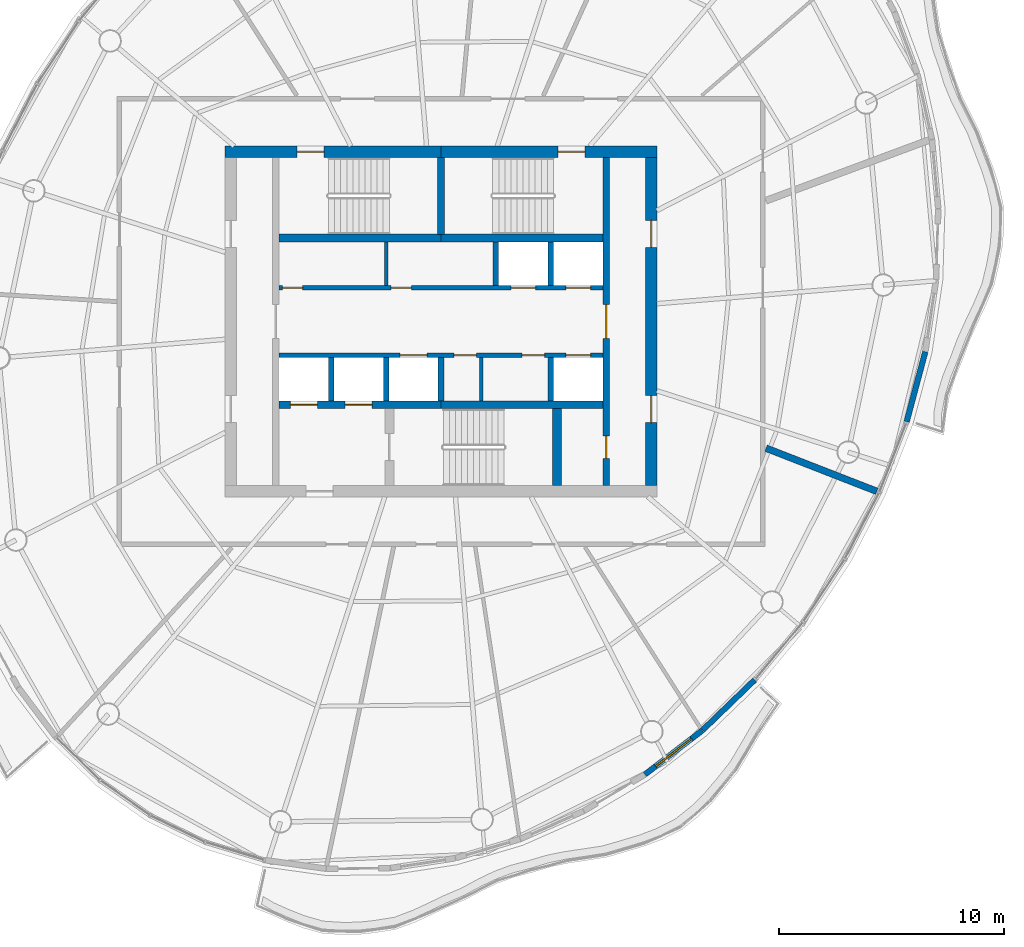
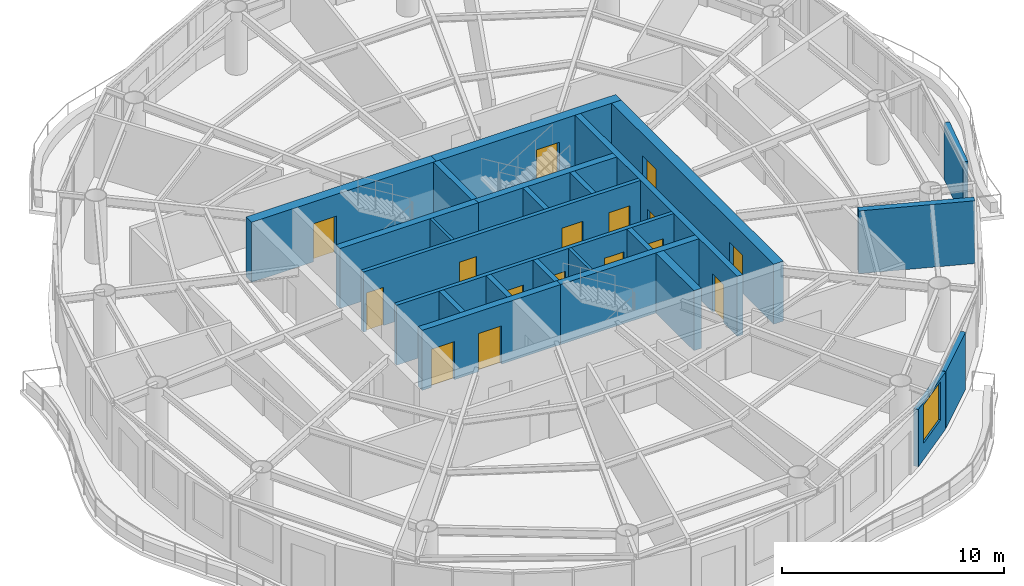
# One storey, part 8 of 13: 24 walls, 16 doors, 1 window, 17 openings.
"""IFC4 building model written with IfcOpenShell, lengths in metres."""

from ifc_helpers import new_model, si_unit, direction, frame, frame_2d, origin, place, context, subcontext, project, spatial, rectangle, extrude, material, layer, layer_set, type_object, element, fill, save


model = new_model("IFC4")

# Units and contexts
model_context = context("Model", 3, precision=1e-05, world=origin(), true_north=direction((0.0, 1.0)))
body_context = subcontext(model_context, "Body", "Model", "MODEL_VIEW")
ifc_project = project(units=[si_unit("LENGTHUNIT", "METRE"), si_unit("AREAUNIT", "SQUARE_METRE"), si_unit("VOLUMEUNIT", "CUBIC_METRE"), si_unit("PLANEANGLEUNIT", "RADIAN"), si_unit("MASSUNIT", "GRAM", prefix="KILO")], contexts=[model_context])

# Site, building, storey
site_placement = place(None, origin())
site = spatial("IfcSite", under=ifc_project, at=site_placement, CompositionType="ELEMENT")
building_placement = place(site_placement, origin())
building = spatial("IfcBuilding", under=site, at=building_placement, Name="Vermilion Reach Broadcast Tower", CompositionType="ELEMENT")
storey_placement = place(building_placement, frame((0.0, 0.0, 272.10009765625)))
storey = spatial("IfcBuildingStorey", under=building, at=storey_placement, Name="L67", CompositionType="ELEMENT", Elevation=272.10009765625)

# Wall, openings, doors
ifc_material_1 = material(Name="Concrete C50", Category="concrete")
ifc_layer_1 = layer(ifc_material_1, 0.300048828125)
ifc_layer_set_1 = layer_set([ifc_layer_1], Name="Core inner wall 300 mm Concrete C50")
wall_type_1 = type_object("IfcWallType", Name="Core inner wall 300 mm Concrete C50", PredefinedType="SHEAR", material=ifc_layer_set_1)
wall_1_placement = place(storey_placement, frame((1.35009765625, -7.300048828125, 0.0), z_axis=(0.0, 0.0, 1.0), x_axis=(0.0, 1.0, 0.0)))
wall_1 = element("IfcWall", 1, at=wall_1_placement, inside=storey, type_object=wall_type_1, Name="L67 core wall ewE", PredefinedType="SHEAR", context=body_context, shape_type="SweptSolid", body=[
    extrude(rectangle(XDim=14.60009765625, YDim=0.300048828125, at=frame_2d((7.300048828125, 0.0))), origin(), (0.0, 0.0, 1.0), 3.2998046875),
])
opening_1_placement = place(wall_1_placement, frame((1.2099609375, 0.0, 0.0)))
opening_1 = element("IfcOpeningElement", 2, at=opening_1_placement, cuts=wall_1, Name="Opening D05", PredefinedType="OPENING", context=body_context, shape_type="SweptSolid", body=[
    extrude(rectangle(XDim=1.0, YDim=2.10009765625, at=frame_2d((0.5, 1.050048828125))), frame((0.0, 0.159912109375, 0.0), z_axis=(0.0, -1.0, 0.0), x_axis=(1.0, 0.0, 0.0)), (0.0, 0.0, 1.0), 0.320068359375),
])
opening_2_placement = place(wall_1_placement, frame((6.550048828125, 0.0, 0.0)))
opening_2 = element("IfcOpeningElement", 3, at=opening_2_placement, cuts=wall_1, Name="Opening D04", PredefinedType="OPENING", context=body_context, shape_type="SweptSolid", body=[
    extrude(rectangle(XDim=1.5, YDim=2.10009765625, at=frame_2d((0.75, 1.050048828125))), frame((0.0, 0.159912109375, 0.0), z_axis=(0.0, -1.0, 0.0), x_axis=(1.0, 0.0, 0.0)), (0.0, 0.0, 1.0), 0.320068359375),
])
ifc_material_2 = material(Name="Painted steel fire door", Category="steel")
door_type_1 = type_object("IfcDoorType", Name="Lift lobby door 1500 x 2100", OperationType="DOUBLE_DOOR_SINGLE_SWING", PredefinedType="NOTDEFINED", material=ifc_material_2)
door_1_placement = place(opening_2_placement, origin())
door_1 = element("IfcDoor", 4, at=door_1_placement, inside=storey, type_object=door_type_1, Name="L67 band door BE", OperationType="DOUBLE_DOOR_SINGLE_SWING", OverallHeight=2.10009765625, OverallWidth=1.5, PredefinedType="NOTDEFINED", context=body_context, shape_type="SweptSolid", body=[
    extrude(rectangle(XDim=1.5, YDim=2.10009765625, at=frame_2d((0.75, 1.050048828125))), frame((0.0, 0.02490234375, 0.0), z_axis=(0.0, -1.0, 0.0), x_axis=(1.0, 0.0, 0.0)), (0.0, 0.0, 1.0), 0.050048828125),
])
fill(opening_2, door_1)
ifc_material_3 = material(Name="Timber door", Category="wood")
door_type_2 = type_object("IfcDoorType", Name="Room door 1000 x 2100", OperationType="NOTDEFINED", PredefinedType="NOTDEFINED", material=ifc_material_3)
door_2_placement = place(opening_1_placement, origin())
door_2 = element("IfcDoor", 5, at=door_2_placement, inside=storey, type_object=door_type_2, Name="L67 door SER", OperationType="SINGLE_SWING_LEFT", OverallHeight=2.10009765625, OverallWidth=1.0, PredefinedType="NOTDEFINED", context=body_context, shape_type="SweptSolid", body=[
    extrude(rectangle(XDim=1.0, YDim=2.10009765625, at=frame_2d((0.5, 1.050048828125))), frame((0.0, 0.02490234375, 0.0), z_axis=(0.0, -1.0, 0.0), x_axis=(1.0, 0.0, 0.0)), (0.0, 0.0, 1.0), 0.050048828125),
])
fill(opening_1, door_2)

# Walls
wall_2_placement = place(storey_placement, frame((-6.0, 3.8798828125, 0.0), z_axis=(0.0, 0.0, 1.0), x_axis=(0.0, 1.0, 0.0)))
element("IfcWall", 6, at=wall_2_placement, inside=storey, type_object=wall_type_1, Name="L67 core wall wc", PredefinedType="SHEAR", context=body_context, shape_type="SweptSolid", body=[
    extrude(rectangle(XDim=3.420166015625, YDim=0.300048828125, at=frame_2d((1.7099609375, 0.0))), origin(), (0.0, 0.0, 1.0), 3.2998046875),
])
ifc_material_4 = material(Name="Concrete C50", Category="concrete")
ifc_layer_2 = layer(ifc_material_4, 0.35009765625)
ifc_layer_set_2 = layer_set([ifc_layer_2], Name="Core inner wall 350 mm Concrete C50")
wall_type_2 = type_object("IfcWallType", Name="Core inner wall 350 mm Concrete C50", PredefinedType="SHEAR", material=ifc_layer_set_2)
for number, where, z_axis, x_axis, name in (
    (7, (-13.199951171875, 3.705078125, 0.0), (0.0, 0.0, 1.0), (1.0, 0.0, 0.0), "L67 core wall winW"),
    (8, (-6.0, 3.705078125, 0.0), (0.0, 0.0, 1.0), (1.0, 0.0, 0.0), "L67 core wall winE"),
):
    element("IfcWall", number, at=place(storey_placement, frame(where, z_axis=z_axis, x_axis=x_axis)), inside=storey, type_object=wall_type_2, Name=name, PredefinedType="SHEAR", context=body_context, shape_type="SweptSolid", body=[
        extrude(rectangle(XDim=7.199951171875, YDim=0.35009765625, at=frame_2d((3.60009765625, 0.0))), origin(), (0.0, 0.0, 1.0), 3.2998046875),
    ])

# Wall, openings, doors
wall_3_placement = place(storey_placement, frame((-13.199951171875, -3.705078125, 0.0), z_axis=(0.0, 0.0, 1.0), x_axis=(1.0, 0.0, 0.0)))
wall_3 = element("IfcWall", 9, at=wall_3_placement, inside=storey, type_object=wall_type_2, Name="L67 core wall wisW", PredefinedType="SHEAR", context=body_context, shape_type="SweptSolid", body=[
    extrude(rectangle(XDim=7.199951171875, YDim=0.35009765625, at=frame_2d((3.60009765625, 0.0))), origin(), (0.0, 0.0, 1.0), 3.2998046875),
])
opening_3_placement = place(wall_3_placement, frame((0.495849609375, 0.0, 0.0)))
opening_3 = element("IfcOpeningElement", 10, at=opening_3_placement, cuts=wall_3, Name="Opening LD1", PredefinedType="OPENING", context=body_context, shape_type="SweptSolid", body=[
    extrude(rectangle(XDim=1.199951171875, YDim=2.10009765625, at=frame_2d((0.60009765625, 1.050048828125))), frame((0.0, 0.18505859375, 0.0), z_axis=(0.0, -1.0, 0.0), x_axis=(1.0, 0.0, 0.0)), (0.0, 0.0, 1.0), 0.3701171875),
])
opening_4_placement = place(wall_3_placement, frame((2.9375, 0.0, 0.0)))
opening_4 = element("IfcOpeningElement", 11, at=opening_4_placement, cuts=wall_3, Name="Opening LD1", PredefinedType="OPENING", context=body_context, shape_type="SweptSolid", body=[
    extrude(rectangle(XDim=1.199951171875, YDim=2.10009765625, at=frame_2d((0.60009765625, 1.050048828125))), frame((0.0, 0.18505859375, 0.0), z_axis=(0.0, -1.0, 0.0), x_axis=(1.0, 0.0, 0.0)), (0.0, 0.0, 1.0), 0.3701171875),
])
ifc_material_5 = material(Name="Stainless steel", Category="steel")
door_type_3 = type_object("IfcDoorType", Name="Landing door 1200 x 2100", OperationType="DOUBLE_DOOR_SLIDING", PredefinedType="NOTDEFINED", material=ifc_material_5)
door_3_placement = place(opening_3_placement, origin())
door_3 = element("IfcDoor", 12, at=door_3_placement, inside=storey, type_object=door_type_3, Name="L67 landing door FF1", OperationType="DOUBLE_DOOR_SLIDING", OverallHeight=2.10009765625, OverallWidth=1.199951171875, PredefinedType="NOTDEFINED", context=body_context, shape_type="SweptSolid", body=[
    extrude(rectangle(XDim=1.199951171875, YDim=2.10009765625, at=frame_2d((0.60009765625, 1.050048828125))), frame((0.0, 0.02490234375, 0.0), z_axis=(0.0, -1.0, 0.0), x_axis=(1.0, 0.0, 0.0)), (0.0, 0.0, 1.0), 0.050048828125),
])
fill(opening_3, door_3)
door_4_placement = place(opening_4_placement, origin())
door_4 = element("IfcDoor", 13, at=door_4_placement, inside=storey, type_object=door_type_3, Name="L67 landing door FF2", OperationType="DOUBLE_DOOR_SLIDING", OverallHeight=2.10009765625, OverallWidth=1.199951171875, PredefinedType="NOTDEFINED", context=body_context, shape_type="SweptSolid", body=[
    extrude(rectangle(XDim=1.199951171875, YDim=2.10009765625, at=frame_2d((0.60009765625, 1.050048828125))), frame((0.0, 0.02490234375, 0.0), z_axis=(0.0, -1.0, 0.0), x_axis=(1.0, 0.0, 0.0)), (0.0, 0.0, 1.0), 0.050048828125),
])
fill(opening_4, door_4)

# Walls
wall_4_placement = place(storey_placement, frame((-6.0, -3.705078125, 0.0), z_axis=(0.0, 0.0, 1.0), x_axis=(1.0, 0.0, 0.0)))
element("IfcWall", 14, at=wall_4_placement, inside=storey, type_object=wall_type_2, Name="L67 core wall wisE", PredefinedType="SHEAR", context=body_context, shape_type="SweptSolid", body=[
    extrude(rectangle(XDim=7.199951171875, YDim=0.35009765625, at=frame_2d((3.60009765625, 0.0))), origin(), (0.0, 0.0, 1.0), 3.2998046875),
])
ifc_material_6 = material(Name="Concrete C50", Category="concrete")
ifc_layer_3 = layer(ifc_material_6, 0.39990234375)
ifc_layer_set_3 = layer_set([ifc_layer_3], Name="Core inner wall 400 mm Concrete C50")
wall_type_3 = type_object("IfcWallType", Name="Core inner wall 400 mm Concrete C50", PredefinedType="SHEAR", material=ifc_layer_set_3)
wall_5_placement = place(storey_placement, frame((-0.85009765625, -3.8798828125, 0.0), z_axis=(0.0, 0.0, 1.0), x_axis=(0.0, -1.0, 0.0)))
element("IfcWall", 15, at=wall_5_placement, inside=storey, type_object=wall_type_3, Name="L67 core wall wb", PredefinedType="SHEAR", context=body_context, shape_type="SweptSolid", body=[
    extrude(rectangle(XDim=3.420166015625, YDim=0.39990234375, at=frame_2d((1.7099609375, 0.0))), origin(), (0.0, 0.0, 1.0), 3.2998046875),
])

# Wall, opening, door
ifc_material_7 = material(Name="Concrete C50", Category="concrete")
ifc_layer_4 = layer(ifc_material_7, 0.5)
ifc_layer_set_4 = layer_set([ifc_layer_4], Name="Core outer wall 500 mm Concrete C50")
wall_type_4 = type_object("IfcWallType", Name="Core outer wall 500 mm Concrete C50", PredefinedType="SHEAR", material=ifc_layer_set_4)
wall_6_placement = place(storey_placement, frame((3.60009765625, 7.550048828125, 0.0), z_axis=(0.0, 0.0, 1.0), x_axis=(-1.0, 0.0, 0.0)))
wall_6 = element("IfcWall", 16, at=wall_6_placement, inside=storey, type_object=wall_type_4, Name="L67 core wall onE", PredefinedType="SHEAR", context=body_context, shape_type="SweptSolid", body=[
    extrude(rectangle(XDim=9.60009765625, YDim=0.5, at=frame_2d((4.800048828125, 0.0))), origin(), (0.0, 0.0, 1.0), 3.2998046875),
])
opening_5_placement = place(wall_6_placement, frame((3.199951171875, 0.0, 0.0)))
opening_5 = element("IfcOpeningElement", 17, at=opening_5_placement, cuts=wall_6, Name="Opening D01", PredefinedType="OPENING", context=body_context, shape_type="SweptSolid", body=[
    extrude(rectangle(XDim=1.199951171875, YDim=2.10009765625, at=frame_2d((0.60009765625, 1.050048828125))), frame((0.0, 0.260009765625, 0.0), z_axis=(0.0, -1.0, 0.0), x_axis=(1.0, 0.0, 0.0)), (0.0, 0.0, 1.0), 0.52001953125),
])
ifc_material_8 = material(Name="Painted steel fire door", Category="steel")
door_type_4 = type_object("IfcDoorType", Name="Stair door 1200 x 2100", OperationType="DOUBLE_DOOR_SINGLE_SWING", PredefinedType="NOTDEFINED", material=ifc_material_8)
door_5_placement = place(opening_5_placement, origin())
door_5 = element("IfcDoor", 18, at=door_5_placement, inside=storey, type_object=door_type_4, Name="L67 stair door ST2", OperationType="DOUBLE_DOOR_SINGLE_SWING", OverallHeight=2.10009765625, OverallWidth=1.199951171875, PredefinedType="NOTDEFINED", context=body_context, shape_type="SweptSolid", body=[
    extrude(rectangle(XDim=1.199951171875, YDim=2.10009765625, at=frame_2d((0.60009765625, 1.050048828125))), frame((0.0, 0.02490234375, 0.0), z_axis=(0.0, -1.0, 0.0), x_axis=(1.0, 0.0, 0.0)), (0.0, 0.0, 1.0), 0.050048828125),
])
fill(opening_5, door_5)

wall_7_placement = place(storey_placement, frame((-6.0, 7.550048828125, 0.0), z_axis=(0.0, 0.0, 1.0), x_axis=(-1.0, 0.0, 0.0)))
wall_7 = element("IfcWall", 19, at=wall_7_placement, inside=storey, type_object=wall_type_4, Name="L67 core wall onW", PredefinedType="SHEAR", context=body_context, shape_type="SweptSolid", body=[
    extrude(rectangle(XDim=9.60009765625, YDim=0.5, at=frame_2d((4.800048828125, 0.0))), origin(), (0.0, 0.0, 1.0), 3.2998046875),
])
opening_6_placement = place(wall_7_placement, frame((5.199951171875, 0.0, 0.0)))
opening_6 = element("IfcOpeningElement", 20, at=opening_6_placement, cuts=wall_7, Name="Opening D01", PredefinedType="OPENING", context=body_context, shape_type="SweptSolid", body=[
    extrude(rectangle(XDim=1.199951171875, YDim=2.10009765625, at=frame_2d((0.60009765625, 1.050048828125))), frame((0.0, 0.260009765625, 0.0), z_axis=(0.0, -1.0, 0.0), x_axis=(1.0, 0.0, 0.0)), (0.0, 0.0, 1.0), 0.52001953125),
])
door_6_placement = place(opening_6_placement, origin())
door_6 = element("IfcDoor", 21, at=door_6_placement, inside=storey, type_object=door_type_4, Name="L67 stair door ST1", OperationType="DOUBLE_DOOR_SINGLE_SWING", OverallHeight=2.10009765625, OverallWidth=1.199951171875, PredefinedType="NOTDEFINED", context=body_context, shape_type="SweptSolid", body=[
    extrude(rectangle(XDim=1.199951171875, YDim=2.10009765625, at=frame_2d((0.60009765625, 1.050048828125))), frame((0.0, 0.02490234375, 0.0), z_axis=(0.0, -1.0, 0.0), x_axis=(1.0, 0.0, 0.0)), (0.0, 0.0, 1.0), 0.050048828125),
])
fill(opening_6, door_6)

# Wall, openings, doors
wall_8_placement = place(storey_placement, frame((3.35009765625, -7.300048828125, 0.0), z_axis=(0.0, 0.0, 1.0), x_axis=(0.0, 1.0, 0.0)))
wall_8 = element("IfcWall", 22, at=wall_8_placement, inside=storey, type_object=wall_type_4, Name="L67 core wall oe", PredefinedType="SHEAR", context=body_context, shape_type="SweptSolid", body=[
    extrude(rectangle(XDim=14.60009765625, YDim=0.5, at=frame_2d((7.300048828125, 0.0))), origin(), (0.0, 0.0, 1.0), 3.2998046875),
])
opening_7_placement = place(wall_8_placement, frame((2.800048828125, 0.0, 0.0)))
opening_7 = element("IfcOpeningElement", 23, at=opening_7_placement, cuts=wall_8, Name="Opening D03", PredefinedType="OPENING", context=body_context, shape_type="SweptSolid", body=[
    extrude(rectangle(XDim=1.199951171875, YDim=2.10009765625, at=frame_2d((0.60009765625, 1.050048828125))), frame((0.0, 0.260009765625, 0.0), z_axis=(0.0, -1.0, 0.0), x_axis=(1.0, 0.0, 0.0)), (0.0, 0.0, 1.0), 0.52001953125),
])
opening_8_placement = place(wall_8_placement, frame((10.60009765625, 0.0, 0.0)))
opening_8 = element("IfcOpeningElement", 24, at=opening_8_placement, cuts=wall_8, Name="Opening D03", PredefinedType="OPENING", context=body_context, shape_type="SweptSolid", body=[
    extrude(rectangle(XDim=1.199951171875, YDim=2.10009765625, at=frame_2d((0.60009765625, 1.050048828125))), frame((0.0, 0.260009765625, 0.0), z_axis=(0.0, -1.0, 0.0), x_axis=(1.0, 0.0, 0.0)), (0.0, 0.0, 1.0), 0.52001953125),
])
ifc_material_9 = material(Name="Painted steel fire door", Category="steel")
door_type_5 = type_object("IfcDoorType", Name="Core lobby door 1200 x 2100", OperationType="DOUBLE_DOOR_SINGLE_SWING", PredefinedType="NOTDEFINED", material=ifc_material_9)
door_7_placement = place(opening_7_placement, origin())
door_7 = element("IfcDoor", 25, at=door_7_placement, inside=storey, type_object=door_type_5, Name="L67 slot door E0", OperationType="DOUBLE_DOOR_SINGLE_SWING", OverallHeight=2.10009765625, OverallWidth=1.199951171875, PredefinedType="NOTDEFINED", context=body_context, shape_type="SweptSolid", body=[
    extrude(rectangle(XDim=1.199951171875, YDim=2.10009765625, at=frame_2d((0.60009765625, 1.050048828125))), frame((0.0, 0.02490234375, 0.0), z_axis=(0.0, -1.0, 0.0), x_axis=(1.0, 0.0, 0.0)), (0.0, 0.0, 1.0), 0.050048828125),
])
fill(opening_7, door_7)
door_8_placement = place(opening_8_placement, origin())
door_8 = element("IfcDoor", 26, at=door_8_placement, inside=storey, type_object=door_type_5, Name="L67 slot door E1", OperationType="DOUBLE_DOOR_SINGLE_SWING", OverallHeight=2.10009765625, OverallWidth=1.199951171875, PredefinedType="NOTDEFINED", context=body_context, shape_type="SweptSolid", body=[
    extrude(rectangle(XDim=1.199951171875, YDim=2.10009765625, at=frame_2d((0.60009765625, 1.050048828125))), frame((0.0, 0.02490234375, 0.0), z_axis=(0.0, -1.0, 0.0), x_axis=(1.0, 0.0, 0.0)), (0.0, 0.0, 1.0), 0.050048828125),
])
fill(opening_8, door_8)

# Walls
ifc_material_10 = material(Name="Masonry block", Category="masonry")
ifc_layer_5 = layer(ifc_material_10, 0.14990234375)
ifc_layer_set_5 = layer_set([ifc_layer_5], Name="Core partition wall 150 mm Masonry block")
wall_type_5 = type_object("IfcWallType", Name="Core partition wall 150 mm Masonry block", PredefinedType="PARTITIONING", material=ifc_layer_set_5)
for number, where, z_axis, x_axis, name in (
    (27, (-8.441650390625, 1.60009765625, 0.0), (0.0, 0.0, 1.0), (0.0, 1.0, 0.0), "L67 core wall prN-2442"),
    (28, (-4.20703125, -1.60009765625, 0.0), (0.0, 0.0, 1.0), (0.0, -1.0, 0.0), "L67 core wall prS1793"),
):
    element("IfcWall", number, at=place(storey_placement, frame(where, z_axis=z_axis, x_axis=x_axis)), inside=storey, type_object=wall_type_5, Name=name, PredefinedType="PARTITIONING", context=body_context, shape_type="SweptSolid", body=[
        extrude(rectangle(XDim=1.929931640625, YDim=0.14990234375, at=frame_2d((0.96484375, 0.0))), origin(), (0.0, 0.0, 1.0), 3.2998046875),
    ])

# Wall, openings, doors
ifc_material_11 = material(Name="Concrete C50", Category="concrete")
ifc_layer_6 = layer(ifc_material_11, 0.199951171875)
ifc_layer_set_6 = layer_set([ifc_layer_6], Name="Core shaft wall 200 mm Concrete C50")
wall_type_6 = type_object("IfcWallType", Name="Core shaft wall 200 mm Concrete C50", PredefinedType="SHEAR", material=ifc_layer_set_6)
wall_9_placement = place(storey_placement, frame((-13.199951171875, 1.5, 0.0), z_axis=(0.0, 0.0, 1.0), x_axis=(1.0, 0.0, 0.0)))
wall_9 = element("IfcWall", 29, at=wall_9_placement, inside=storey, type_object=wall_type_6, Name="L67 core wall fn", PredefinedType="SHEAR", context=body_context, shape_type="SweptSolid", body=[
    extrude(rectangle(XDim=14.39990234375, YDim=0.199951171875, at=frame_2d((7.199951171875, 0.0))), origin(), (0.0, 0.0, 1.0), 3.2998046875),
])
opening_9_placement = place(wall_9_placement, frame((10.3125, 0.0, 0.0)))
opening_9 = element("IfcOpeningElement", 30, at=opening_9_placement, cuts=wall_9, Name="Opening LD2", PredefinedType="OPENING", context=body_context, shape_type="SweptSolid", body=[
    extrude(rectangle(XDim=1.10009765625, YDim=2.10009765625, at=frame_2d((0.550048828125, 1.050048828125))), frame((0.0, 0.10986328125, 0.0), z_axis=(0.0, -1.0, 0.0), x_axis=(1.0, 0.0, 0.0)), (0.0, 0.0, 1.0), 0.219970703125),
])
opening_10_placement = place(wall_9_placement, frame((12.754150390625, 0.0, 0.0)))
opening_10 = element("IfcOpeningElement", 31, at=opening_10_placement, cuts=wall_9, Name="Opening LD2", PredefinedType="OPENING", context=body_context, shape_type="SweptSolid", body=[
    extrude(rectangle(XDim=1.10009765625, YDim=2.10009765625, at=frame_2d((0.550048828125, 1.050048828125))), frame((0.0, 0.10986328125, 0.0), z_axis=(0.0, -1.0, 0.0), x_axis=(1.0, 0.0, 0.0)), (0.0, 0.0, 1.0), 0.219970703125),
])
opening_11_placement = place(wall_9_placement, frame((0.14990234375, 0.0, 0.0)))
opening_11 = element("IfcOpeningElement", 32, at=opening_11_placement, cuts=wall_9, Name="Opening D06", PredefinedType="OPENING", context=body_context, shape_type="SweptSolid", body=[
    extrude(rectangle(XDim=0.89990234375, YDim=2.10009765625, at=frame_2d((0.449951171875, 1.050048828125))), frame((0.0, 0.10986328125, 0.0), z_axis=(0.0, -1.0, 0.0), x_axis=(1.0, 0.0, 0.0)), (0.0, 0.0, 1.0), 0.219970703125),
])
opening_12_placement = place(wall_9_placement, frame((4.9833984375, 0.0, 0.0)))
opening_12 = element("IfcOpeningElement", 33, at=opening_12_placement, cuts=wall_9, Name="Opening D06", PredefinedType="OPENING", context=body_context, shape_type="SweptSolid", body=[
    extrude(rectangle(XDim=0.89990234375, YDim=2.10009765625, at=frame_2d((0.449951171875, 1.050048828125))), frame((0.0, 0.10986328125, 0.0), z_axis=(0.0, -1.0, 0.0), x_axis=(1.0, 0.0, 0.0)), (0.0, 0.0, 1.0), 0.219970703125),
])
ifc_material_12 = material(Name="Stainless steel", Category="steel")
door_type_6 = type_object("IfcDoorType", Name="Landing door 1100 x 2100", OperationType="DOUBLE_DOOR_SLIDING", PredefinedType="NOTDEFINED", material=ifc_material_12)
door_9_placement = place(opening_9_placement, origin())
door_9 = element("IfcDoor", 34, at=door_9_placement, inside=storey, type_object=door_type_6, Name="L67 landing door HR1", OperationType="DOUBLE_DOOR_SLIDING", OverallHeight=2.10009765625, OverallWidth=1.10009765625, PredefinedType="NOTDEFINED", context=body_context, shape_type="SweptSolid", body=[
    extrude(rectangle(XDim=1.10009765625, YDim=2.10009765625, at=frame_2d((0.550048828125, 1.050048828125))), frame((0.0, 0.02490234375, 0.0), z_axis=(0.0, -1.0, 0.0), x_axis=(1.0, 0.0, 0.0)), (0.0, 0.0, 1.0), 0.050048828125),
])
fill(opening_9, door_9)
door_10_placement = place(opening_10_placement, origin())
door_10 = element("IfcDoor", 35, at=door_10_placement, inside=storey, type_object=door_type_6, Name="L67 landing door HR2", OperationType="DOUBLE_DOOR_SLIDING", OverallHeight=2.10009765625, OverallWidth=1.10009765625, PredefinedType="NOTDEFINED", context=body_context, shape_type="SweptSolid", body=[
    extrude(rectangle(XDim=1.10009765625, YDim=2.10009765625, at=frame_2d((0.550048828125, 1.050048828125))), frame((0.0, 0.02490234375, 0.0), z_axis=(0.0, -1.0, 0.0), x_axis=(1.0, 0.0, 0.0)), (0.0, 0.0, 1.0), 0.050048828125),
])
fill(opening_10, door_10)
ifc_material_13 = material(Name="Timber door", Category="wood")
door_type_7 = type_object("IfcDoorType", Name="WC door 900 x 2100", OperationType="NOTDEFINED", PredefinedType="NOTDEFINED", material=ifc_material_13)
door_11_placement = place(opening_11_placement, origin())
door_11 = element("IfcDoor", 36, at=door_11_placement, inside=storey, type_object=door_type_7, Name="L67 door Female WC", OperationType="SINGLE_SWING_LEFT", OverallHeight=2.10009765625, OverallWidth=0.89990234375, PredefinedType="NOTDEFINED", context=body_context, shape_type="SweptSolid", body=[
    extrude(rectangle(XDim=0.89990234375, YDim=2.10009765625, at=frame_2d((0.449951171875, 1.050048828125))), frame((0.0, 0.02490234375, 0.0), z_axis=(0.0, -1.0, 0.0), x_axis=(1.0, 0.0, 0.0)), (0.0, 0.0, 1.0), 0.050048828125),
])
fill(opening_11, door_11)
door_12_placement = place(opening_12_placement, origin())
door_12 = element("IfcDoor", 37, at=door_12_placement, inside=storey, type_object=door_type_7, Name="L67 door Male WC", OperationType="SINGLE_SWING_LEFT", OverallHeight=2.10009765625, OverallWidth=0.89990234375, PredefinedType="NOTDEFINED", context=body_context, shape_type="SweptSolid", body=[
    extrude(rectangle(XDim=0.89990234375, YDim=2.10009765625, at=frame_2d((0.449951171875, 1.050048828125))), frame((0.0, 0.02490234375, 0.0), z_axis=(0.0, -1.0, 0.0), x_axis=(1.0, 0.0, 0.0)), (0.0, 0.0, 1.0), 0.050048828125),
])
fill(opening_12, door_12)

wall_10_placement = place(storey_placement, frame((1.199951171875, -1.5, 0.0), z_axis=(0.0, 0.0, 1.0), x_axis=(-1.0, 0.0, 0.0)))
wall_10 = element("IfcWall", 38, at=wall_10_placement, inside=storey, type_object=wall_type_6, Name="L67 core wall fs", PredefinedType="SHEAR", context=body_context, shape_type="SweptSolid", body=[
    extrude(rectangle(XDim=14.39990234375, YDim=0.199951171875, at=frame_2d((7.199951171875, 0.0))), origin(), (0.0, 0.0, 1.0), 3.2998046875),
])
opening_13_placement = place(wall_10_placement, frame((7.82080078125, 0.0, 0.0)))
opening_13 = element("IfcOpeningElement", 39, at=opening_13_placement, cuts=wall_10, Name="Opening LD1", PredefinedType="OPENING", context=body_context, shape_type="SweptSolid", body=[
    extrude(rectangle(XDim=1.199951171875, YDim=2.10009765625, at=frame_2d((0.60009765625, 1.050048828125))), frame((0.0, 0.10986328125, 0.0), z_axis=(0.0, -1.0, 0.0), x_axis=(1.0, 0.0, 0.0)), (0.0, 0.0, 1.0), 0.219970703125),
])
opening_14_placement = place(wall_10_placement, frame((0.5458984375, 0.0, 0.0)))
opening_14 = element("IfcOpeningElement", 40, at=opening_14_placement, cuts=wall_10, Name="Opening LD2", PredefinedType="OPENING", context=body_context, shape_type="SweptSolid", body=[
    extrude(rectangle(XDim=1.10009765625, YDim=2.10009765625, at=frame_2d((0.550048828125, 1.050048828125))), frame((0.0, 0.10986328125, 0.0), z_axis=(0.0, -1.0, 0.0), x_axis=(1.0, 0.0, 0.0)), (0.0, 0.0, 1.0), 0.219970703125),
])
opening_15_placement = place(wall_10_placement, frame((5.632080078125, 0.0, 0.0)))
opening_15 = element("IfcOpeningElement", 41, at=opening_15_placement, cuts=wall_10, Name="Opening D10", PredefinedType="OPENING", context=body_context, shape_type="SweptSolid", body=[
    extrude(rectangle(XDim=1.0, YDim=2.10009765625, at=frame_2d((0.5, 1.050048828125))), frame((0.0, 0.10986328125, 0.0), z_axis=(0.0, -1.0, 0.0), x_axis=(1.0, 0.0, 0.0)), (0.0, 0.0, 1.0), 0.219970703125),
])
opening_16_placement = place(wall_10_placement, frame((2.591552734375, 0.0, 0.0)))
opening_16 = element("IfcOpeningElement", 42, at=opening_16_placement, cuts=wall_10, Name="Opening D07", PredefinedType="OPENING", context=body_context, shape_type="SweptSolid", body=[
    extrude(rectangle(XDim=1.0, YDim=2.10009765625, at=frame_2d((0.5, 1.050048828125))), frame((0.0, 0.10986328125, 0.0), z_axis=(0.0, -1.0, 0.0), x_axis=(1.0, 0.0, 0.0)), (0.0, 0.0, 1.0), 0.219970703125),
])
ifc_material_14 = material(Name="Timber door", Category="wood")
door_type_8 = type_object("IfcDoorType", Name="Accessible WC door 1000 x 2100", OperationType="NOTDEFINED", PredefinedType="NOTDEFINED", material=ifc_material_14)
door_13_placement = place(opening_16_placement, origin())
door_13 = element("IfcDoor", 43, at=door_13_placement, inside=storey, type_object=door_type_8, Name="L67 door Accessible WC", OperationType="SINGLE_SWING_LEFT", OverallHeight=2.10009765625, OverallWidth=1.0, PredefinedType="NOTDEFINED", context=body_context, shape_type="SweptSolid", body=[
    extrude(rectangle(XDim=1.0, YDim=2.10009765625, at=frame_2d((0.5, 1.050048828125))), frame((0.0, 0.02490234375, 0.0), z_axis=(0.0, -1.0, 0.0), x_axis=(1.0, 0.0, 0.0)), (0.0, 0.0, 1.0), 0.050048828125),
])
fill(opening_16, door_13)
door_14_placement = place(opening_14_placement, origin())
door_14 = element("IfcDoor", 44, at=door_14_placement, inside=storey, type_object=door_type_6, Name="L67 landing door HR3", OperationType="DOUBLE_DOOR_SLIDING", OverallHeight=2.10009765625, OverallWidth=1.10009765625, PredefinedType="NOTDEFINED", context=body_context, shape_type="SweptSolid", body=[
    extrude(rectangle(XDim=1.10009765625, YDim=2.10009765625, at=frame_2d((0.550048828125, 1.050048828125))), frame((0.0, 0.02490234375, 0.0), z_axis=(0.0, -1.0, 0.0), x_axis=(1.0, 0.0, 0.0)), (0.0, 0.0, 1.0), 0.050048828125),
])
fill(opening_14, door_14)
door_15_placement = place(opening_13_placement, origin())
door_15 = element("IfcDoor", 45, at=door_15_placement, inside=storey, type_object=door_type_3, Name="L67 landing door SV1", OperationType="DOUBLE_DOOR_SLIDING", OverallHeight=2.10009765625, OverallWidth=1.199951171875, PredefinedType="NOTDEFINED", context=body_context, shape_type="SweptSolid", body=[
    extrude(rectangle(XDim=1.199951171875, YDim=2.10009765625, at=frame_2d((0.60009765625, 1.050048828125))), frame((0.0, 0.02490234375, 0.0), z_axis=(0.0, -1.0, 0.0), x_axis=(1.0, 0.0, 0.0)), (0.0, 0.0, 1.0), 0.050048828125),
])
fill(opening_13, door_15)
ifc_material_15 = material(Name="Timber door", Category="wood")
door_type_9 = type_object("IfcDoorType", Name="WC lobby door 1000 x 2100", OperationType="NOTDEFINED", PredefinedType="NOTDEFINED", material=ifc_material_15)
door_16_placement = place(opening_15_placement, origin())
door_16 = element("IfcDoor", 46, at=door_16_placement, inside=storey, type_object=door_type_9, Name="L67 door WC lobby", OperationType="SINGLE_SWING_LEFT", OverallHeight=2.10009765625, OverallWidth=1.0, PredefinedType="NOTDEFINED", context=body_context, shape_type="SweptSolid", body=[
    extrude(rectangle(XDim=1.0, YDim=2.10009765625, at=frame_2d((0.5, 1.050048828125))), frame((0.0, 0.02490234375, 0.0), z_axis=(0.0, -1.0, 0.0), x_axis=(1.0, 0.0, 0.0)), (0.0, 0.0, 1.0), 0.050048828125),
])
fill(opening_15, door_16)

# Walls
ifc_material_16 = material(Name="Concrete C50", Category="concrete")
ifc_layer_7 = layer(ifc_material_16, 0.25)
ifc_layer_set_7 = layer_set([ifc_layer_7], Name="Core shaft wall 250 mm Concrete C50")
wall_type_7 = type_object("IfcWallType", Name="Core shaft wall 250 mm Concrete C50", PredefinedType="SHEAR", material=ifc_layer_set_7)
for number, where, z_axis, x_axis, name in (
    (47, (-3.558349609375, 1.60009765625, 0.0), (0.0, 0.0, 1.0), (0.0, 1.0, 0.0), "L67 core wall psN3"),
    (48, (-1.11669921875, 1.60009765625, 0.0), (0.0, 0.0, 1.0), (0.0, 1.0, 0.0), "L67 core wall psN4"),
    (49, (-10.88330078125, -1.60009765625, 0.0), (0.0, 0.0, 1.0), (0.0, -1.0, 0.0), "L67 core wall psS0"),
    (50, (-8.441650390625, -1.60009765625, 0.0), (0.0, 0.0, 1.0), (0.0, -1.0, 0.0), "L67 core wall psS1"),
    (51, (-6.0, -1.60009765625, 0.0), (0.0, 0.0, 1.0), (0.0, -1.0, 0.0), "L67 core wall psS2"),
    (52, (-1.11669921875, -1.60009765625, 0.0), (0.0, 0.0, 1.0), (0.0, -1.0, 0.0), "L67 core wall psS4"),
):
    element("IfcWall", number, at=place(storey_placement, frame(where, z_axis=z_axis, x_axis=x_axis)), inside=storey, type_object=wall_type_7, Name=name, PredefinedType="SHEAR", context=body_context, shape_type="SweptSolid", body=[
        extrude(rectangle(XDim=1.929931640625, YDim=0.25, at=frame_2d((0.96484375, 0.0))), origin(), (0.0, 0.0, 1.0), 3.2998046875),
    ])
ifc_material_17 = material(Name="Double-leaf plasterboard on isolated steel stud", Category="steel")
ifc_layer_8 = layer(ifc_material_17, 0.300048828125)
ifc_layer_set_8 = layer_set([ifc_layer_8], Name="Partition 300 acoustic double leaf")
wall_type_8 = type_object("IfcWallType", Name="Partition 300 acoustic double leaf", PredefinedType="PARTITIONING", material=ifc_layer_set_8)
wall_11_placement = place(storey_placement, frame((13.377685546875, -7.552001953125, 0.0), z_axis=(0.0, 0.0, 1.0), x_axis=(-0.931738210827, 0.363130701656, 0.0)))
element("IfcWall", 53, at=wall_11_placement, inside=storey, type_object=wall_type_8, Name="Partition 67.09", PredefinedType="PARTITIONING", context=body_context, shape_type="SweptSolid", body=[
    extrude(rectangle(XDim=5.28369140625, YDim=0.300048828125, at=frame_2d((2.641845703125, 0.0))), origin(), (0.0, 0.0, 1.0), 3.449951171875),
])

# Wall, opening, window
ifc_material_18 = material(Name="Terracotta rainscreen cladding", Category="masonry")
ifc_layer_9 = layer(ifc_material_18, 0.25)
ifc_layer_set_9 = layer_set([ifc_layer_9], Name="Terracotta rainscreen wall 250")
wall_type_9 = type_object("IfcWallType", Name="Terracotta rainscreen wall 250", PredefinedType="SOLIDWALL", material=ifc_layer_set_9)
wall_12_placement = place(storey_placement, frame((3.072509765625, -20.141845703125, 0.0), z_axis=(0.0, 0.0, 1.0), x_axis=(0.793206691654, 0.608952497586, 0.0)))
wall_12 = element("IfcWall", 54, at=wall_12_placement, inside=storey, type_object=wall_type_9, Name="External wall L67 32", PredefinedType="SOLIDWALL", context=body_context, shape_type="SweptSolid", body=[
    extrude(rectangle(XDim=3.20654296875, YDim=0.25, at=frame_2d((1.603271484375, 0.0))), origin(), (0.0, 0.0, 1.0), 3.14990234375),
])
opening_17_placement = place(wall_12_placement, frame((0.603271484375, 0.0, 0.89990234375)))
opening_17 = element("IfcOpeningElement", 55, at=opening_17_placement, cuts=wall_12, Name="Opening W03", PredefinedType="OPENING", context=body_context, shape_type="SweptSolid", body=[
    extrude(rectangle(XDim=2.0, YDim=2.10009765625, at=frame_2d((1.0, 1.050048828125))), frame((0.0, 0.135009765625, 0.0), z_axis=(0.0, -1.0, 0.0), x_axis=(1.0, 0.0, 0.0)), (0.0, 0.0, 1.0), 0.27001953125),
])
ifc_material_19 = material(Name="Low-e laminated clear glass in aluminium frame", Category="aluminium")
window_type = type_object("IfcWindowType", Name="Punched window 2000 x 2100 sill 900", PartitioningType="SINGLE_PANEL", PredefinedType="WINDOW", material=ifc_material_19)
window_placement = place(opening_17_placement, origin())
window = element("IfcWindow", 56, at=window_placement, inside=storey, type_object=window_type, Name="Window L67 32", OverallHeight=2.10009765625, OverallWidth=2.0, PartitioningType="SINGLE_PANEL", PredefinedType="WINDOW", context=body_context, shape_type="SweptSolid", body=[
    extrude(rectangle(XDim=2.0, YDim=2.10009765625, at=frame_2d((1.0, 1.050048828125))), frame((0.0, 0.030029296875, 0.0), z_axis=(0.0, -1.0, 0.0), x_axis=(1.0, 0.0, 0.0)), (0.0, 0.0, 1.0), 0.06005859375),
])
fill(opening_17, window)

# Walls
for number, where, z_axis, x_axis, name in (
    (57, (5.6328125, -18.1748046875, 0.0), (0.0, 0.0, 1.0), (0.719595006307, 0.694393999757, 0.0), "External wall L67 33"),
    (58, (14.70751953125, -4.45556640625, 0.0), (0.0, 0.0, 1.0), (0.257776035016, 0.96620469662, 0.0), "External wall L67 38"),
):
    element("IfcWall", number, at=place(storey_placement, frame(where, z_axis=z_axis, x_axis=x_axis)), inside=storey, type_object=wall_type_9, Name=name, PredefinedType="SOLIDWALL", context=body_context, shape_type="SweptSolid", body=[
        extrude(rectangle(XDim=3.21630859375, YDim=0.25, at=frame_2d((1.608154296875, 0.0))), origin(), (0.0, 0.0, 1.0), 3.14990234375),
    ])

save(model, "model.ifc")
